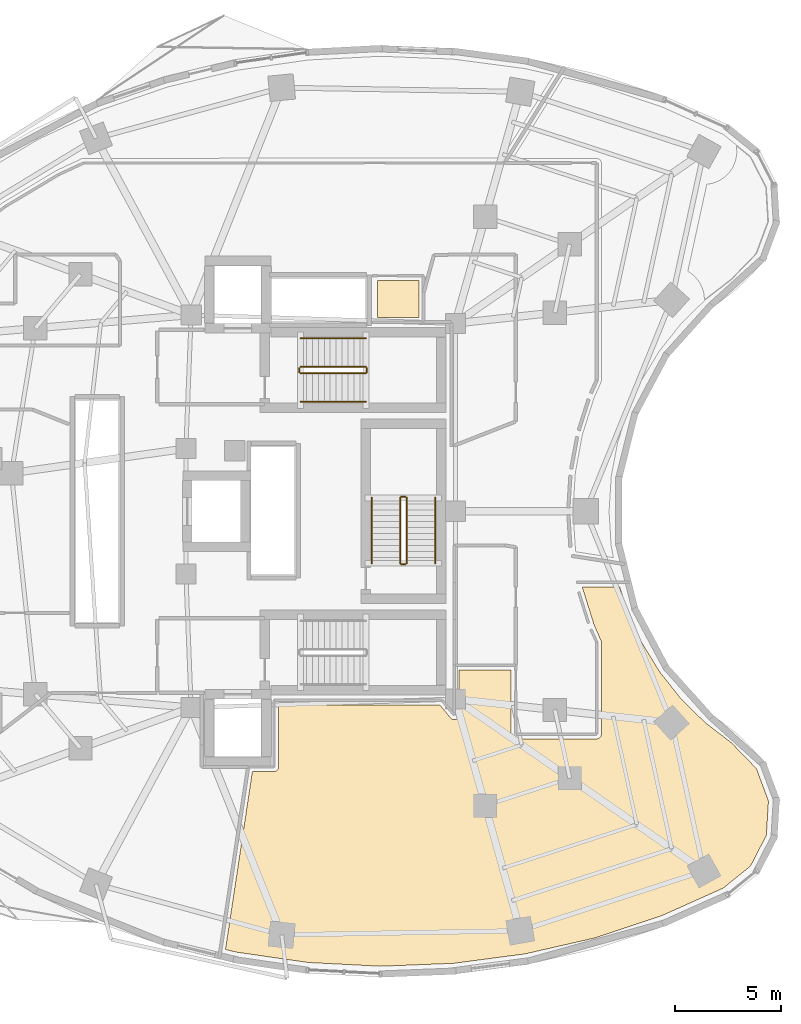
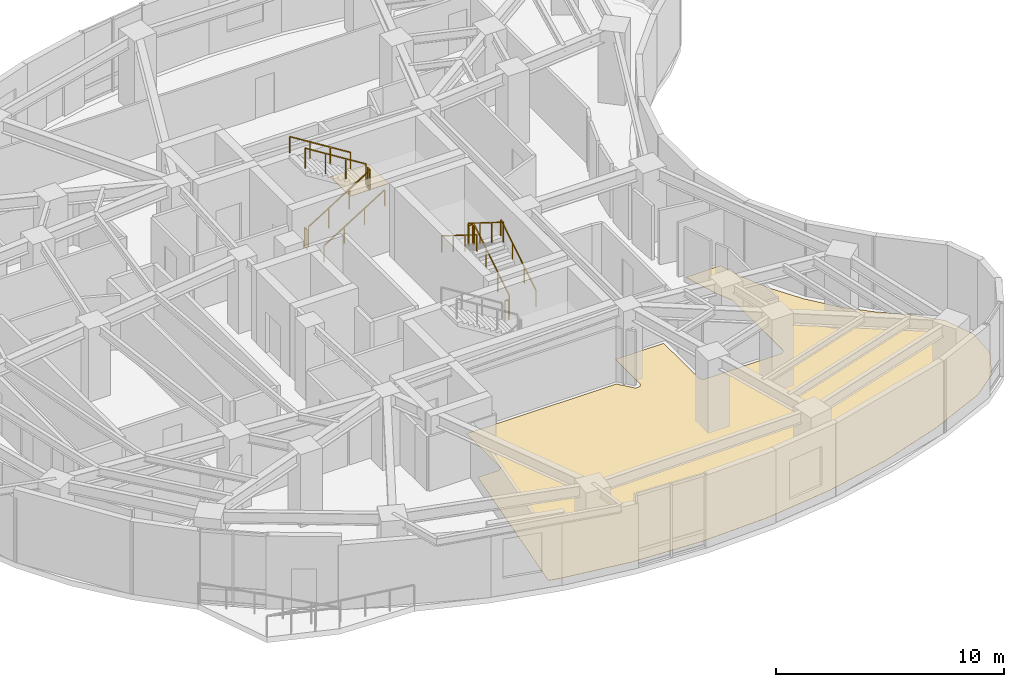
# One storey, part 13 of 14: 12 railings, 2 coverings.
"""IFC4 building model written with IfcOpenShell, lengths in metres."""

import ifcopenshell
import ifcopenshell.guid

model = None  # the IFC model being written
_history = None  # IfcOwnerHistory: only IFC2X3 demands one
_inside = {}  # id of a spatial element -> (the spatial element, [elements in it])
_under = {}  # id of a project, library or spatial element -> (it, [spatial elements below it])
_declared = {}  # id of a project -> (the project, [libraries it declares])
_typed = {}  # id of a type object -> (the type object, [elements of that type])
_made_of = {}  # id of a material, layer set ... -> (it, [elements and type objects made of it])


def new_model(schema):
    """Start an empty IFC model of exactly this schema.

    Asked for "IFC4X3", IfcOpenShell would pick the latest addendum, in which some entities
    have other attributes; the version numbers below select the first issue.
    IFC2X3 requires an IfcOwnerHistory on every rooted entity: one is made here for all.
    """
    global model, _history
    if schema == "IFC4X3":
        model = ifcopenshell.file(schema_version=(4, 3, 0, 0))
    else:
        model = ifcopenshell.file(schema=schema)
    _inside.clear()
    _under.clear()
    _declared.clear()
    _typed.clear()
    _made_of.clear()
    _history = None
    if model.schema == "IFC2X3":
        org = make("IfcOrganization", Name="unknown")
        user = make(
            "IfcPersonAndOrganization",
            ThePerson=make("IfcPerson", FamilyName="unknown"),
            TheOrganization=org,
        )
        app = make(
            "IfcApplication",
            ApplicationDeveloper=org,
            Version="unknown",
            ApplicationFullName="unknown",
            ApplicationIdentifier="unknown",
        )
        _history = make(
            "IfcOwnerHistory",
            OwningUser=user,
            OwningApplication=app,
            ChangeAction="ADDED",
            CreationDate=0,
        )
    return model


def make(cls, **values):
    """One entity of the class cls with the attributes given. An attribute that is None is left unset."""
    return model.create_entity(
        cls, **{name: value for name, value in values.items() if value is not None}
    )


def rooted(cls, **values):
    """An entity with a GlobalId (a new one), such as an element, a storey or a relation."""
    return make(cls, GlobalId=ifcopenshell.guid.new(), OwnerHistory=_history, **values)


def si_unit(unit_type, name, prefix=None):
    """IfcSIUnit, for example si_unit("LENGTHUNIT", "METRE", prefix="MILLI")."""
    return make("IfcSIUnit", UnitType=unit_type, Prefix=prefix, Name=name)


def assignment(units):
    """IfcUnitAssignment: the units of a project."""
    return None if units is None else make("IfcUnitAssignment", Units=units)


def point(xyz):
    """IfcCartesianPoint."""
    return None if xyz is None else make("IfcCartesianPoint", Coordinates=xyz)


def direction(xyz):
    """IfcDirection."""
    return None if xyz is None else make("IfcDirection", DirectionRatios=xyz)


def frame(location, z_axis=None, x_axis=None):
    """IfcAxis2Placement3D, a coordinate frame: its origin and axes. An axis left out is left unset."""
    return make(
        "IfcAxis2Placement3D",
        Location=point(location),
        Axis=direction(z_axis),
        RefDirection=direction(x_axis),
    )


def frame_2d(location, x_axis=None):
    """IfcAxis2Placement2D, a coordinate frame in the plane: its origin and x axis."""
    return make(
        "IfcAxis2Placement2D", Location=point(location), RefDirection=direction(x_axis)
    )


def origin():
    """The frame at (0, 0, 0) with its axes left unset."""
    return frame((0.0, 0.0, 0.0))


def origin_2d():
    """The frame at (0, 0) in the plane with its x axis left unset."""
    return frame_2d((0.0, 0.0))


def place(relative_to, where):
    """IfcLocalPlacement: puts the frame where relative to a parent placement (None: the world)."""
    return make(
        "IfcLocalPlacement", PlacementRelTo=relative_to, RelativePlacement=where
    )


def context(
    kind, dimensions, precision=None, world=None, true_north=None, identifier=None
):
    """IfcGeometricRepresentationContext, for example the 3D "Model" context."""
    return make(
        "IfcGeometricRepresentationContext",
        ContextIdentifier=identifier,
        ContextType=kind,
        CoordinateSpaceDimension=dimensions,
        Precision=precision,
        WorldCoordinateSystem=world,
        TrueNorth=true_north,
    )


def subcontext(parent, identifier, kind, view, scale=None):
    """IfcGeometricRepresentationSubContext, for example "Body" below "Model"."""
    return make(
        "IfcGeometricRepresentationSubContext",
        ContextIdentifier=identifier,
        ContextType=kind,
        ParentContext=parent,
        TargetScale=scale,
        TargetView=view,
    )


def project(units=None, contexts=None):
    """IfcProject with its units and contexts."""
    return rooted(
        "IfcProject",
        Name="project",
        RepresentationContexts=contexts,
        UnitsInContext=assignment(units),
    )


def spatial(cls, under=None, at=None, **own):
    """A site, building, storey or space (cls), placed at a placement, below another one or the project."""
    s = rooted(cls, ObjectPlacement=at, **own)
    if under is not None:
        _under.setdefault(under.id(), (under, []))[1].append(s)
    return s


def polyline(points):
    """IfcPolyline through the points."""
    return make("IfcPolyline", Points=[point(p) for p in points])


def profile(cls, at=None, kind="AREA", **sizes):
    """A parametric profile (cls). Its sizes go by their IFC names, for example OverallWidth=200.0."""
    return make(cls, ProfileType=kind, Position=at, **sizes)


def rectangle(**sizes):
    """IfcRectangleProfileDef."""
    return profile("IfcRectangleProfileDef", **sizes)


def outline(outer, holes=None, kind="AREA"):
    """IfcArbitraryClosedProfileDef: a profile drawn as a closed curve; with holes, ...WithVoids."""
    if holes is None:
        return make("IfcArbitraryClosedProfileDef", ProfileType=kind, OuterCurve=outer)
    return make(
        "IfcArbitraryProfileDefWithVoids",
        ProfileType=kind,
        OuterCurve=outer,
        InnerCurves=holes,
    )


def extrude(swept, where, along, depth):
    """IfcExtrudedAreaSolid: the profile swept, set in the frame where, extruded along a direction by depth."""
    return make(
        "IfcExtrudedAreaSolid",
        SweptArea=swept,
        Position=where,
        ExtrudedDirection=direction(along),
        Depth=depth,
    )


def shape(context_of_items, identifier, shape_type, items):
    """IfcShapeRepresentation: the items that make up one representation, for example the "Body"."""
    return make(
        "IfcShapeRepresentation",
        ContextOfItems=context_of_items,
        RepresentationIdentifier=identifier,
        RepresentationType=shape_type,
        Items=items,
    )


def material(Name=None, Category=None):
    """IfcMaterial."""
    return make("IfcMaterial", Name=Name, Category=Category)


def layer(
    of_material, thickness, ventilated=None, Name=None, Category=None, Priority=None
):
    """IfcMaterialLayer: one layer of a wall or slab, of a material (None: an air gap)."""
    return make(
        "IfcMaterialLayer",
        Material=of_material,
        LayerThickness=thickness,
        IsVentilated=ventilated,
        Name=Name,
        Category=Category,
        Priority=Priority,
    )


def layer_set(layers, Name=None):
    """IfcMaterialLayerSet."""
    return make("IfcMaterialLayerSet", MaterialLayers=layers, LayerSetName=Name)


def made_of(thing, what):
    """Note that an element or type object is made of a material, layer set ...; save() writes the relation."""
    if what is not None:
        _made_of.setdefault(what.id(), (what, []))[1].append(thing)
    return thing


def type_object(cls, material=None, **own):
    """A type object (cls), such as IfcWallType, which elements share."""
    return made_of(rooted(cls, **own), material)


def element(
    cls,
    number,
    at=None,
    inside=None,
    cuts=None,
    type_object=None,
    material=None,
    context=None,
    identifier="Body",
    shape_type=None,
    held_by="IfcProductDefinitionShape",
    body=None,
    shapes=None,
    **own,
):
    """One element of the class cls, such as IfcWall. Its Tag is "e" and its number.

    at: its placement. inside: the storey or other place that contains it. cuts: it is an
    opening in that element (IfcRelVoidsElement). A single representation is given by context,
    identifier, shape_type and body (its items); several are given by shapes. held_by: the class
    of the entity that holds the representations. save() writes the other relations.
    """
    e = rooted(cls, Tag="e%d" % number, ObjectPlacement=at, **own)
    if body is not None:
        shapes = [shape(context, identifier, shape_type, body)]
    if shapes is not None:
        e.Representation = make(held_by, Representations=shapes)
    if inside is not None:
        _inside.setdefault(inside.id(), (inside, []))[1].append(e)
    if cuts is not None:
        rooted(
            "IfcRelVoidsElement", RelatingBuildingElement=cuts, RelatedOpeningElement=e
        )
    if type_object is not None:
        _typed.setdefault(type_object.id(), (type_object, []))[1].append(e)
    return made_of(e, material)


def aggregate(whole, parts):
    """IfcRelAggregates: a whole, such as a stair, and the parts it consists of."""
    return rooted("IfcRelAggregates", RelatingObject=whole, RelatedObjects=parts)


def save(model, path):
    """Write the relations noted so far, then the file.

    IfcRelAggregates (storeys below a building ...), IfcRelContainedInSpatialStructure (elements
    in a storey), IfcRelDefinesByType, IfcRelAssociatesMaterial and IfcRelDeclares: one each for
    every whole, place, type object, material and project.
    """
    for whole, parts in _under.values():
        aggregate(whole, parts)
    for where, things in _inside.values():
        rooted(
            "IfcRelContainedInSpatialStructure",
            RelatedElements=things,
            RelatingStructure=where,
        )
    for kind, things in _typed.values():
        rooted("IfcRelDefinesByType", RelatedObjects=things, RelatingType=kind)
    for what, things in _made_of.values():
        rooted("IfcRelAssociatesMaterial", RelatedObjects=things, RelatingMaterial=what)
    for by, libraries in _declared.values():
        rooted("IfcRelDeclares", RelatingContext=by, RelatedDefinitions=libraries)
    model.write(path)


model = new_model("IFC4")

# Units and contexts
model_context = context("Model", 3, precision=1e-05, world=origin(), true_north=direction((0.0, 1.0)))
body_context = subcontext(model_context, "Body", "Model", "MODEL_VIEW")
ifc_project = project(units=[si_unit("LENGTHUNIT", "METRE"), si_unit("AREAUNIT", "SQUARE_METRE"), si_unit("VOLUMEUNIT", "CUBIC_METRE"), si_unit("PLANEANGLEUNIT", "RADIAN"), si_unit("MASSUNIT", "GRAM", prefix="KILO")], contexts=[model_context])

# Site, building, storey
site_placement = place(None, origin())
site = spatial("IfcSite", under=ifc_project, at=site_placement, CompositionType="ELEMENT")
building_placement = place(site_placement, origin())
building = spatial("IfcBuilding", under=site, at=building_placement, Name="Korentha Bioscience Tower", CompositionType="ELEMENT")
storey_placement = place(building_placement, frame((0.0, 0.0, 119.39990234375)))
storey = spatial("IfcBuildingStorey", under=building, at=storey_placement, Name="L27", CompositionType="ELEMENT", Elevation=119.39990234375)

# Covering
ifc_material_1 = material(Name="Vitrified Porcelain Tile", Category="ceramic")
ifc_layer_1 = layer(ifc_material_1, 0.014892578125, Name="Vitrified Porcelain Tile")
ifc_layer_set_1 = layer_set([ifc_layer_1], Name="Vitrified Porcelain Tile (FL-CER)")
covering_type_1 = type_object("IfcCoveringType", Name="Anti-Slip Ceramic Wet-Room Tile Flooring 15", PredefinedType="FLOORING", material=ifc_layer_set_1)
covering_1_placement = place(storey_placement, origin())
element("IfcCovering", 1, at=covering_1_placement, inside=storey, type_object=covering_type_1, Name="L27 Accessible Staff WC Floor Finish", PredefinedType="FLOORING", context=body_context, shape_type="SweptSolid", body=[
    extrude(outline(polyline([(33.8701171875, 36.1298828125), (33.8701171875, 37.8701171875), (35.830078125, 37.8701171875), (35.830078125, 36.1298828125), (33.8701171875, 36.1298828125)])), origin(), (0.0, 0.0, 1.0), 0.01513671875),
])

# Railings
ifc_material_2 = material(Name="Stainless Steel 304", Category="steel")
railing_type_1 = type_object("IfcRailingType", Name="Brushed Stainless Stair Handrail 900", PredefinedType="HANDRAIL", material=ifc_material_2)
railing_1_placement = place(storey_placement, frame((30.25, 32.14990234375, 0.175048828125)))
element("IfcRailing", 2, at=railing_1_placement, inside=storey, type_object=railing_type_1, Name="L27 ST-1 stair handrail 1", PredefinedType="HANDRAIL", context=body_context, shape_type="SweptSolid", body=[
    extrude(rectangle(XDim=0.048095703125, YDim=0.048095703125, at=origin_2d()), frame((0.0, 0.0, 0.8759765625), z_axis=(0.847998304005, 0.0, 0.529998940003), x_axis=(0.0, 1.0, 0.0)), (0.0, 0.0, 1.0), 3.632080078125),
    extrude(rectangle(XDim=0.0419921875, YDim=0.0419921875, at=origin_2d()), origin(), (0.0, 0.0, 1.0), 0.851806640625),
    extrude(rectangle(XDim=0.0419921875, YDim=0.0419921875, at=origin_2d()), frame((1.026611328125, 0.0, 0.6416015625)), (0.0, 0.0, 1.0), 0.851806640625),
    extrude(rectangle(XDim=0.0419921875, YDim=0.0419921875, at=origin_2d()), frame((2.053466796875, 0.0, 1.283447265625)), (0.0, 0.0, 1.0), 0.851806640625),
    extrude(rectangle(XDim=0.0419921875, YDim=0.0419921875, at=origin_2d()), frame((3.080078125, 0.0, 1.925048828125)), (0.0, 0.0, 1.0), 0.851806640625),
])
railing_2_placement = place(storey_placement, frame((33.330078125, 35.14990234375, 2.275146484375)))
element("IfcRailing", 3, at=railing_2_placement, inside=storey, type_object=railing_type_1, Name="L27 ST-1 stair handrail 2", PredefinedType="HANDRAIL", context=body_context, shape_type="SweptSolid", body=[
    extrude(rectangle(XDim=0.048095703125, YDim=0.048095703125, at=origin_2d()), frame((0.0, 0.0, 0.8759765625), z_axis=(-0.847998304005, 0.0, 0.529998940003), x_axis=(0.0, -1.0, 0.0)), (0.0, 0.0, 1.0), 3.632080078125),
    extrude(rectangle(XDim=0.0419921875, YDim=0.0419921875, at=origin_2d()), origin(), (0.0, 0.0, 1.0), 0.851806640625),
    extrude(rectangle(XDim=0.0419921875, YDim=0.0419921875, at=origin_2d()), frame((-1.026611328125, 0.0, 0.6416015625)), (0.0, 0.0, 1.0), 0.851806640625),
    extrude(rectangle(XDim=0.0419921875, YDim=0.0419921875, at=origin_2d()), frame((-2.053466796875, 0.0, 1.283447265625)), (0.0, 0.0, 1.0), 0.851806640625),
    extrude(rectangle(XDim=0.0419921875, YDim=0.0419921875, at=origin_2d()), frame((-3.080078125, 0.0, 1.925048828125)), (0.0, 0.0, 1.0), 0.851806640625),
])
railing_3_placement = place(storey_placement, frame((36.60009765625, 24.550048828125, 0.175048828125)))
element("IfcRailing", 4, at=railing_3_placement, inside=storey, type_object=railing_type_1, Name="L27 ST-3 stair handrail 1", PredefinedType="HANDRAIL", context=body_context, shape_type="SweptSolid", body=[
    extrude(rectangle(XDim=0.048095703125, YDim=0.048095703125, at=origin_2d()), frame((0.0, 0.0, 0.8759765625), z_axis=(0.0, 0.847979421464, 0.530029150871), x_axis=(-1.0, 0.0, 0.0)), (0.0, 0.0, 1.0), 3.632080078125),
    extrude(rectangle(XDim=0.0419921875, YDim=0.0419921875, at=origin_2d()), origin(), (0.0, 0.0, 1.0), 0.851806640625),
    extrude(rectangle(XDim=0.0419921875, YDim=0.0419921875, at=origin_2d()), frame((0.0, 1.026611328125, 0.6416015625)), (0.0, 0.0, 1.0), 0.851806640625),
    extrude(rectangle(XDim=0.0419921875, YDim=0.0419921875, at=origin_2d()), frame((0.0, 2.05322265625, 1.283447265625)), (0.0, 0.0, 1.0), 0.851806640625),
    extrude(rectangle(XDim=0.0419921875, YDim=0.0419921875, at=origin_2d()), frame((0.0, 3.079833984375, 1.925048828125)), (0.0, 0.0, 1.0), 0.851806640625),
])
railing_4_placement = place(storey_placement, frame((33.60009765625, 27.6298828125, 2.275146484375)))
element("IfcRailing", 5, at=railing_4_placement, inside=storey, type_object=railing_type_1, Name="L27 ST-3 stair handrail 2", PredefinedType="HANDRAIL", context=body_context, shape_type="SweptSolid", body=[
    extrude(rectangle(XDim=0.048095703125, YDim=0.048095703125, at=origin_2d()), frame((0.0, 0.0, 0.8759765625), z_axis=(0.0, -0.847979421464, 0.530029150871), x_axis=(1.0, 0.0, 0.0)), (0.0, 0.0, 1.0), 3.632080078125),
    extrude(rectangle(XDim=0.0419921875, YDim=0.0419921875, at=origin_2d()), origin(), (0.0, 0.0, 1.0), 0.851806640625),
    extrude(rectangle(XDim=0.0419921875, YDim=0.0419921875, at=origin_2d()), frame((0.0, -1.026611328125, 0.6416015625)), (0.0, 0.0, 1.0), 0.851806640625),
    extrude(rectangle(XDim=0.0419921875, YDim=0.0419921875, at=origin_2d()), frame((0.0, -2.05322265625, 1.283447265625)), (0.0, 0.0, 1.0), 0.851806640625),
    extrude(rectangle(XDim=0.0419921875, YDim=0.0419921875, at=origin_2d()), frame((0.0, -3.079833984375, 1.925048828125)), (0.0, 0.0, 1.0), 0.851806640625),
])
ifc_material_3 = material(Name="Painted Steel S275", Category="steel")
railing_type_2 = type_object("IfcRailingType", Name="Painted Steel Stair Well Guardrail 1100", PredefinedType="GUARDRAIL", material=ifc_material_3)
railing_5_placement = place(storey_placement, frame((30.25, 33.5, 0.175048828125)))
element("IfcRailing", 6, at=railing_5_placement, inside=storey, type_object=railing_type_2, Name="L27 ST-1 stair guard 1", PredefinedType="GUARDRAIL", context=body_context, shape_type="SweptSolid", body=[
    extrude(rectangle(XDim=0.048095703125, YDim=0.048095703125, at=origin_2d()), frame((0.0, 0.0, 1.076171875), z_axis=(0.847998304005, 0.0, 0.529998940003), x_axis=(0.0, 1.0, 0.0)), (0.0, 0.0, 1.0), 3.632080078125),
    extrude(rectangle(XDim=0.0419921875, YDim=0.0419921875, at=origin_2d()), origin(), (0.0, 0.0, 1.0), 1.052001953125),
    extrude(rectangle(XDim=0.0419921875, YDim=0.0419921875, at=origin_2d()), frame((1.026611328125, 0.0, 0.6416015625)), (0.0, 0.0, 1.0), 1.052001953125),
    extrude(rectangle(XDim=0.0419921875, YDim=0.0419921875, at=origin_2d()), frame((2.053466796875, 0.0, 1.283447265625)), (0.0, 0.0, 1.0), 1.052001953125),
    extrude(rectangle(XDim=0.0419921875, YDim=0.0419921875, at=origin_2d()), frame((3.080078125, 0.0, 1.925048828125)), (0.0, 0.0, 1.0), 1.052001953125),
])
railing_6_placement = place(storey_placement, frame((33.3798828125, 33.550048828125, 2.10009765625)))
element("IfcRailing", 7, at=railing_6_placement, inside=storey, type_object=railing_type_2, Name="L27 ST-1 stair guard 2", PredefinedType="GUARDRAIL", context=body_context, shape_type="SweptSolid", body=[
    extrude(rectangle(XDim=0.048095703125, YDim=0.048095703125, at=origin_2d()), frame((0.0, 0.0, 1.076171875), z_axis=(0.0, 1.0, 0.0), x_axis=(-1.0, 0.0, 0.0)), (0.0, 0.0, 1.0), 0.199951171875),
    extrude(rectangle(XDim=0.0419921875, YDim=0.0419921875, at=origin_2d()), origin(), (0.0, 0.0, 1.0), 1.052001953125),
    extrude(rectangle(XDim=0.0419921875, YDim=0.0419921875, at=origin_2d()), frame((0.0, 0.199951171875, 0.0)), (0.0, 0.0, 1.0), 1.052001953125),
])
railing_7_placement = place(storey_placement, frame((33.330078125, 33.800048828125, 2.275146484375)))
element("IfcRailing", 8, at=railing_7_placement, inside=storey, type_object=railing_type_2, Name="L27 ST-1 stair guard 3", PredefinedType="GUARDRAIL", context=body_context, shape_type="SweptSolid", body=[
    extrude(rectangle(XDim=0.048095703125, YDim=0.048095703125, at=origin_2d()), frame((0.0, 0.0, 1.076171875), z_axis=(-0.847998304005, 0.0, 0.529998940003), x_axis=(0.0, -1.0, 0.0)), (0.0, 0.0, 1.0), 3.632080078125),
    extrude(rectangle(XDim=0.0419921875, YDim=0.0419921875, at=origin_2d()), origin(), (0.0, 0.0, 1.0), 1.052001953125),
    extrude(rectangle(XDim=0.0419921875, YDim=0.0419921875, at=origin_2d()), frame((-1.026611328125, 0.0, 0.6416015625)), (0.0, 0.0, 1.0), 1.052001953125),
    extrude(rectangle(XDim=0.0419921875, YDim=0.0419921875, at=origin_2d()), frame((-2.053466796875, 0.0, 1.283447265625)), (0.0, 0.0, 1.0), 1.052001953125),
    extrude(rectangle(XDim=0.0419921875, YDim=0.0419921875, at=origin_2d()), frame((-3.080078125, 0.0, 1.925048828125)), (0.0, 0.0, 1.0), 1.052001953125),
])
railing_8_placement = place(storey_placement, frame((30.199951171875, 33.550048828125, 0.0)))
element("IfcRailing", 9, at=railing_8_placement, inside=storey, type_object=railing_type_2, Name="L27 ST-1 stair guard 4", PredefinedType="GUARDRAIL", context=body_context, shape_type="SweptSolid", body=[
    extrude(rectangle(XDim=0.048095703125, YDim=0.048095703125, at=origin_2d()), frame((0.0, 0.0, 1.076171875), z_axis=(0.0, 1.0, 0.0), x_axis=(-1.0, 0.0, 0.0)), (0.0, 0.0, 1.0), 0.199951171875),
    extrude(rectangle(XDim=0.0419921875, YDim=0.0419921875, at=origin_2d()), origin(), (0.0, 0.0, 1.0), 1.052001953125),
    extrude(rectangle(XDim=0.0419921875, YDim=0.0419921875, at=origin_2d()), frame((0.0, 0.199951171875, 0.0)), (0.0, 0.0, 1.0), 1.052001953125),
])
railing_9_placement = place(storey_placement, frame((35.25, 24.550048828125, 0.175048828125)))
element("IfcRailing", 10, at=railing_9_placement, inside=storey, type_object=railing_type_2, Name="L27 ST-3 stair guard 1", PredefinedType="GUARDRAIL", context=body_context, shape_type="SweptSolid", body=[
    extrude(rectangle(XDim=0.048095703125, YDim=0.048095703125, at=origin_2d()), frame((0.0, 0.0, 1.076171875), z_axis=(0.0, 0.847979421464, 0.530029150871), x_axis=(-1.0, 0.0, 0.0)), (0.0, 0.0, 1.0), 3.632080078125),
    extrude(rectangle(XDim=0.0419921875, YDim=0.0419921875, at=origin_2d()), origin(), (0.0, 0.0, 1.0), 1.052001953125),
    extrude(rectangle(XDim=0.0419921875, YDim=0.0419921875, at=origin_2d()), frame((0.0, 1.026611328125, 0.6416015625)), (0.0, 0.0, 1.0), 1.052001953125),
    extrude(rectangle(XDim=0.0419921875, YDim=0.0419921875, at=origin_2d()), frame((0.0, 2.05322265625, 1.283447265625)), (0.0, 0.0, 1.0), 1.052001953125),
    extrude(rectangle(XDim=0.0419921875, YDim=0.0419921875, at=origin_2d()), frame((0.0, 3.079833984375, 1.925048828125)), (0.0, 0.0, 1.0), 1.052001953125),
])
railing_10_placement = place(storey_placement, frame((35.199951171875, 27.679931640625, 2.10009765625)))
element("IfcRailing", 11, at=railing_10_placement, inside=storey, type_object=railing_type_2, Name="L27 ST-3 stair guard 2", PredefinedType="GUARDRAIL", context=body_context, shape_type="SweptSolid", body=[
    extrude(rectangle(XDim=0.048095703125, YDim=0.048095703125, at=origin_2d()), frame((0.0, 0.0, 1.076171875), z_axis=(-1.0, 0.0, 0.0), x_axis=(0.0, -1.0, 0.0)), (0.0, 0.0, 1.0), 0.199951171875),
    extrude(rectangle(XDim=0.0419921875, YDim=0.0419921875, at=origin_2d()), origin(), (0.0, 0.0, 1.0), 1.052001953125),
    extrude(rectangle(XDim=0.0419921875, YDim=0.0419921875, at=origin_2d()), frame((-0.199951171875, 0.0, 0.0)), (0.0, 0.0, 1.0), 1.052001953125),
])
railing_11_placement = place(storey_placement, frame((34.949951171875, 27.6298828125, 2.275146484375)))
element("IfcRailing", 12, at=railing_11_placement, inside=storey, type_object=railing_type_2, Name="L27 ST-3 stair guard 3", PredefinedType="GUARDRAIL", context=body_context, shape_type="SweptSolid", body=[
    extrude(rectangle(XDim=0.048095703125, YDim=0.048095703125, at=origin_2d()), frame((0.0, 0.0, 1.076171875), z_axis=(0.0, -0.847979421464, 0.530029150871), x_axis=(1.0, 0.0, 0.0)), (0.0, 0.0, 1.0), 3.632080078125),
    extrude(rectangle(XDim=0.0419921875, YDim=0.0419921875, at=origin_2d()), origin(), (0.0, 0.0, 1.0), 1.052001953125),
    extrude(rectangle(XDim=0.0419921875, YDim=0.0419921875, at=origin_2d()), frame((0.0, -1.026611328125, 0.6416015625)), (0.0, 0.0, 1.0), 1.052001953125),
    extrude(rectangle(XDim=0.0419921875, YDim=0.0419921875, at=origin_2d()), frame((0.0, -2.05322265625, 1.283447265625)), (0.0, 0.0, 1.0), 1.052001953125),
    extrude(rectangle(XDim=0.0419921875, YDim=0.0419921875, at=origin_2d()), frame((0.0, -3.079833984375, 1.925048828125)), (0.0, 0.0, 1.0), 1.052001953125),
])
railing_12_placement = place(storey_placement, frame((35.199951171875, 24.5, 0.0)))
element("IfcRailing", 13, at=railing_12_placement, inside=storey, type_object=railing_type_2, Name="L27 ST-3 stair guard 4", PredefinedType="GUARDRAIL", context=body_context, shape_type="SweptSolid", body=[
    extrude(rectangle(XDim=0.048095703125, YDim=0.048095703125, at=origin_2d()), frame((0.0, 0.0, 1.076171875), z_axis=(-1.0, 0.0, 0.0), x_axis=(0.0, -1.0, 0.0)), (0.0, 0.0, 1.0), 0.199951171875),
    extrude(rectangle(XDim=0.0419921875, YDim=0.0419921875, at=origin_2d()), origin(), (0.0, 0.0, 1.0), 1.052001953125),
    extrude(rectangle(XDim=0.0419921875, YDim=0.0419921875, at=origin_2d()), frame((-0.199951171875, 0.0, 0.0)), (0.0, 0.0, 1.0), 1.052001953125),
])

# Covering
ifc_material_4 = material(Name="Chemical-Resistant Epoxy Resin", Category="polymer")
ifc_layer_2 = layer(ifc_material_4, 0.011962890625, Name="Chemical-Resistant Epoxy Resin")
ifc_layer_set_2 = layer_set([ifc_layer_2], Name="Chemical-Resistant Epoxy Resin (FL-EPX)")
covering_type_2 = type_object("IfcCoveringType", Name="Seamless Epoxy Laboratory Flooring 12", PredefinedType="FLOORING", material=ifc_layer_set_2)
covering_2_placement = place(storey_placement, origin())
element("IfcCovering", 14, at=covering_2_placement, inside=storey, type_object=covering_type_2, Name="L27 Principal Investigator Office 04 Floor Finish", PredefinedType="FLOORING", context=body_context, shape_type="SweptSolid", body=[
    extrude(outline(polyline([(27.982421875, 14.728759765625), (29.01806640625, 14.731201171875), (29.137939453125, 14.78076171875), (29.202880859375, 14.868408203125), (29.219970703125, 14.9541015625), (29.219970703125, 17.8701171875), (36.81982421875, 17.8701171875), (37.347412109375, 17.2314453125), (37.4228515625, 17.186279296875), (37.531005859375, 17.17578125), (37.613037109375, 17.205078125), (37.6640625, 17.2470703125), (37.70068359375, 17.3017578125), (37.7216796875, 17.38623046875), (37.721923828125, 19.52783203125), (40.169921875, 19.528076171875), (40.17041015625, 16.4892578125), (40.202880859375, 16.38134765625), (40.30126953125, 16.292236328125), (40.39990234375, 16.27001953125), (44.199951171875, 16.27001953125), (44.298828125, 16.292236328125), (44.39697265625, 16.38134765625), (44.4296875, 16.4892578125), (44.427001953125, 20.861083984375), (44.07373046875, 21.669921875), (43.5234375, 23.427978515625), (45.2978515625, 23.427978515625), (45.6728515625, 22.248046875), (46.321533203125, 20.82373046875), (47.192138671875, 19.40234375), (48.20166015625, 18.138916015625), (49.31884765625, 17.041748046875), (50.55615234375, 16.089111328125), (51.734375, 14.87353515625), (52.298095703125, 13.351806640625), (52.200439453125, 11.73193359375), (51.4580078125, 10.289306640625), (50.164794921875, 9.24267578125), (47.254638671875, 7.939453125), (44.1171875, 6.896484375), (40.835205078125, 6.14599609375), (37.4541015625, 5.69921875), (34.030517578125, 5.563232421875), (30.608154296875, 5.739501953125), (27.239013671875, 6.22607421875), (26.715576171875, 6.3525390625), (27.982421875, 14.728759765625)])), origin(), (0.0, 0.0, 1.0), 0.01220703125),
])

save(model, "model.ifc")
